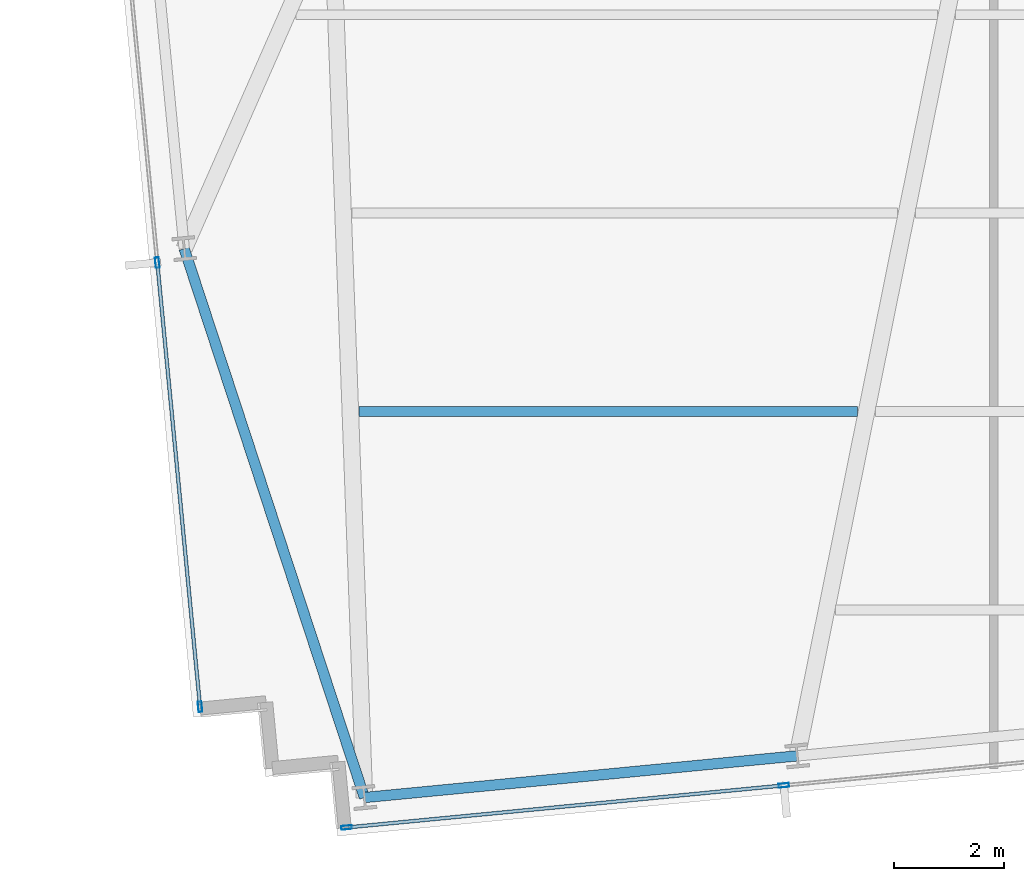
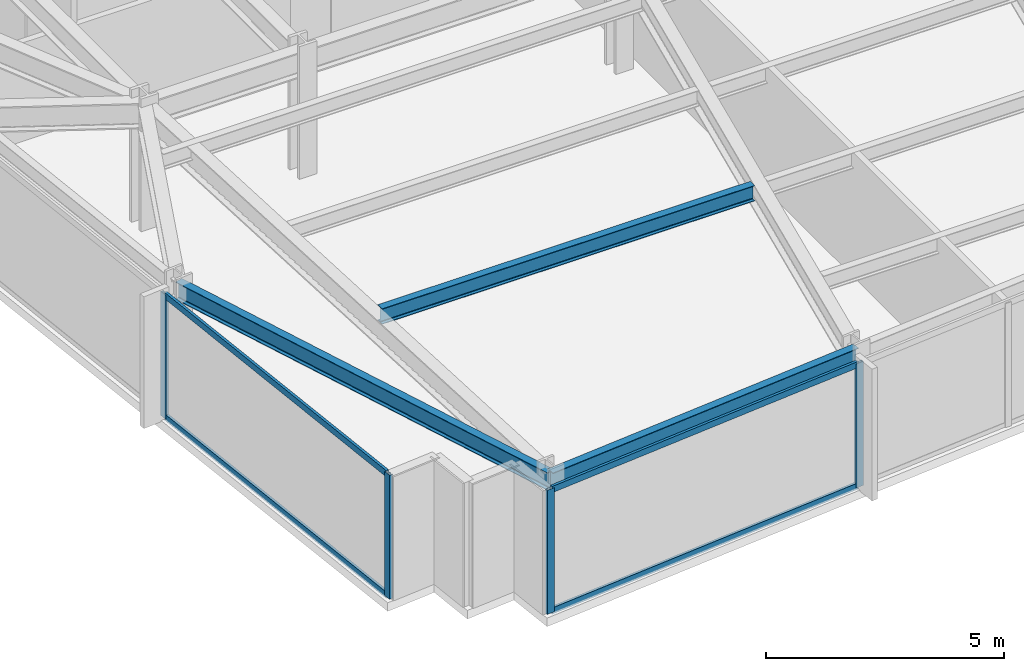
# One storey, part 2 of 32: 8 members, 3 beams, 2 elements without a shape of their own.
"""IFC4 building model written with IfcOpenShell, lengths in metres."""

from ifc_helpers import new_model, si_unit, direction, frame, origin, origin_2d, place, context, subcontext, project, spatial, hollow_rectangle, i_section, extrude, material, material_profile, profile_set, type_object, element, aggregate, save


model = new_model("IFC4")

# Units and contexts
model_context = context("Model", 3, precision=1e-05, world=origin(), true_north=direction((0.0, 1.0)))
body_context = subcontext(model_context, "Body", "Model", "MODEL_VIEW")
ifc_project = project(units=[si_unit("LENGTHUNIT", "METRE"), si_unit("AREAUNIT", "SQUARE_METRE"), si_unit("VOLUMEUNIT", "CUBIC_METRE"), si_unit("PLANEANGLEUNIT", "RADIAN"), si_unit("MASSUNIT", "GRAM", prefix="KILO")], contexts=[model_context])

# Site, building, storey
site_placement = place(None, origin())
site = spatial("IfcSite", under=ifc_project, at=site_placement, CompositionType="ELEMENT")
building_placement = place(site_placement, origin())
building = spatial("IfcBuilding", under=site, at=building_placement, Name="Yelkora Congress Tower", CompositionType="ELEMENT")
storey_placement = place(building_placement, frame((0.0, 0.0, 113.5)))
storey = spatial("IfcBuildingStorey", under=building, at=storey_placement, Name="L30", CompositionType="ELEMENT", Elevation=113.5)

# Beams
ifc_material_1 = material(Name="Steel S355J2", Category="steel")
ifc_material_profile_1 = material_profile(ifc_material_1, i_section(OverallWidth=0.179931640625, OverallDepth=0.39990234375, WebThickness=0.008544921875, FlangeThickness=0.013427734375, FilletRadius=0.02099609375, at=origin_2d()), Name="IPE 400")
ifc_profile_set_1 = profile_set([ifc_material_profile_1], Name="Steel S355J2")
beam_type_1 = type_object("IfcBeamType", Name="BM-JOIST-IPE400", PredefinedType="JOIST", material=ifc_profile_set_1)
beam_1_placement = place(storey_placement, frame((19.6904296875, 16.144287109375, 2.97998046875), z_axis=(1.0, 0.0, 0.0), x_axis=(0.0, 1.0, 0.0)))
element("IfcBeam", 1, at=beam_1_placement, inside=storey, type_object=beam_type_1, Name="L30 Composite Floor Joist 4", PredefinedType="JOIST", context=body_context, shape_type="SweptSolid", body=[
    extrude(i_section(OverallWidth=0.179931640625, OverallDepth=0.39990234375, WebThickness=0.008544921875, FlangeThickness=0.013427734375, FilletRadius=0.02099609375, at=origin_2d()), origin(), (0.0, 0.0, 1.0), 9.0439453125),
])
ifc_material_profile_2 = material_profile(ifc_material_1, i_section(OverallWidth=0.18994140625, OverallDepth=0.449951171875, WebThickness=0.009521484375, FlangeThickness=0.0146484375, FilletRadius=0.02099609375, at=origin_2d()), Name="IPE 450")
ifc_profile_set_2 = profile_set([ifc_material_profile_2], Name="Steel S355J2")
beam_type_2 = type_object("IfcBeamType", Name="BM-SPAN-IPE450", PredefinedType="SPANDREL", material=ifc_profile_set_2)
beam_2_placement = place(storey_placement, frame((16.5166015625, 19.101806640625, 2.955078125), z_axis=(0.311940628701, -0.95010159676, 0.0), x_axis=(0.95010159676, 0.311940628701, 0.0)))
element("IfcBeam", 2, at=beam_2_placement, inside=storey, type_object=beam_type_2, Name="L30 Perimeter Beam 2", PredefinedType="SPANDREL", context=body_context, shape_type="SweptSolid", body=[
    extrude(i_section(OverallWidth=0.18994140625, OverallDepth=0.449951171875, WebThickness=0.009521484375, FlangeThickness=0.0146484375, FilletRadius=0.02099609375, at=origin_2d()), origin(), (0.0, 0.0, 1.0), 10.48046875),
])
beam_3_placement = place(storey_placement, frame((19.785888671875, 9.144287109375, 2.955078125), z_axis=(0.995395860104, 0.095849265454, 0.0), x_axis=(-0.095849265454, 0.995395860104, 0.0)))
element("IfcBeam", 3, at=beam_3_placement, inside=storey, type_object=beam_type_2, Name="L30 Perimeter Beam 3", PredefinedType="SPANDREL", context=body_context, shape_type="SweptSolid", body=[
    extrude(i_section(OverallWidth=0.18994140625, OverallDepth=0.449951171875, WebThickness=0.009521484375, FlangeThickness=0.0146484375, FilletRadius=0.02099609375, at=origin_2d()), origin(), (0.0, 0.0, 1.0), 7.885986328125),
])

# Curtain wall, members
ifc_material_2 = material(Name="Anodised aluminium and insulated glass", Category="aluminium")
curtain_wall_type = type_object("IfcCurtainWallType", Name="CW-SYS-B2", PredefinedType="NOTDEFINED", material=ifc_material_2)
curtain_wall_1_placement = place(storey_placement, origin())
curtain_wall_1 = element("IfcCurtainWall", 4, at=curtain_wall_1_placement, inside=storey, type_object=curtain_wall_type, Name="L30 Unitised Curtain Wall 5", PredefinedType="NOTDEFINED")
ifc_material_3 = material(Name="Anodised aluminium 6063-T6", Category="aluminium")
ifc_material_profile_3 = material_profile(ifc_material_3, hollow_rectangle(XDim=0.070068359375, YDim=0.18994140625, WallThickness=0.00390625, at=origin_2d()), Name="ALU 70x190x4")
ifc_profile_set_3 = profile_set([ifc_material_profile_3], Name="Anodised aluminium 6063-T6")
member_type_1 = type_object("IfcMemberType", Name="MEM-ML-B2", PredefinedType="MULLION", material=ifc_profile_set_3)
member_1_placement = place(storey_placement, frame((16.804443359375, 10.791259765625, 0.0), z_axis=(0.0, 0.0, 1.0), x_axis=(-0.995396507508, -0.095842541913, 0.0)))
member_1 = element("IfcMember", 5, at=member_1_placement, type_object=member_type_1, Name="CW-B2 mullion 1", PredefinedType="MULLION", context=body_context, shape_type="SweptSolid", body=[
    extrude(hollow_rectangle(XDim=0.070068359375, YDim=0.18994140625, WallThickness=0.00390625, at=origin_2d()), origin(), (0.0, 0.0, 1.0), 3.179931640625),
])
member_2_placement = place(storey_placement, frame((16.028564453125, 18.848876953125, 0.0), z_axis=(0.0, 0.0, 1.0), x_axis=(-0.995396507508, -0.095842541913, 0.0)))
member_2 = element("IfcMember", 6, at=member_2_placement, type_object=member_type_1, Name="CW-B2 mullion 2", PredefinedType="MULLION", context=body_context, shape_type="SweptSolid", body=[
    extrude(hollow_rectangle(XDim=0.070068359375, YDim=0.18994140625, WallThickness=0.00390625, at=origin_2d()), origin(), (0.0, 0.0, 1.0), 3.179931640625),
])

curtain_wall_2_placement = place(storey_placement, origin())
curtain_wall_2 = element("IfcCurtainWall", 7, at=curtain_wall_2_placement, inside=storey, type_object=curtain_wall_type, Name="L30 Unitised Curtain Wall 20", PredefinedType="NOTDEFINED")
member_3_placement = place(storey_placement, frame((27.392822265625, 9.364501953125, 0.0), z_axis=(0.0, 0.0, 1.0), x_axis=(0.095844345816, -0.995396333816, 0.0)))
member_3 = element("IfcMember", 8, at=member_3_placement, type_object=member_type_1, Name="CW-B2 mullion 7", PredefinedType="MULLION", context=body_context, shape_type="SweptSolid", body=[
    extrude(hollow_rectangle(XDim=0.070068359375, YDim=0.18994140625, WallThickness=0.00390625, at=origin_2d()), origin(), (0.0, 0.0, 1.0), 3.179931640625),
])
member_4_placement = place(storey_placement, frame((19.46142578125, 8.600830078125, 0.0), z_axis=(0.0, 0.0, 1.0), x_axis=(0.095844345816, -0.995396333816, 0.0)))
member_4 = element("IfcMember", 9, at=member_4_placement, type_object=member_type_1, Name="CW-B2 mullion 8", PredefinedType="MULLION", context=body_context, shape_type="SweptSolid", body=[
    extrude(hollow_rectangle(XDim=0.070068359375, YDim=0.18994140625, WallThickness=0.00390625, at=origin_2d()), origin(), (0.0, 0.0, 1.0), 3.179931640625),
])

# Member
ifc_material_profile_4 = material_profile(ifc_material_3, hollow_rectangle(XDim=0.06494140625, YDim=0.159912109375, WallThickness=0.00390625, at=origin_2d()), Name="ALU 65x160x4")
ifc_profile_set_4 = profile_set([ifc_material_profile_4], Name="Anodised aluminium 6063-T6")
member_type_2 = type_object("IfcMemberType", Name="MEM-TR-B2", PredefinedType="USERDEFINED", material=ifc_profile_set_4)
member_5_placement = place(storey_placement, frame((16.801025390625, 10.826171875, 0.032470703125), z_axis=(-0.095861385662, 0.995394692943, 0.0), x_axis=(-0.995394692943, -0.095861385662, 0.0)))
member_5 = element("IfcMember", 10, at=member_5_placement, type_object=member_type_2, Name="CW-B2 transom 1.1", ObjectType="TRANSOM", PredefinedType="USERDEFINED", context=body_context, shape_type="SweptSolid", body=[
    extrude(hollow_rectangle(XDim=0.06494140625, YDim=0.159912109375, WallThickness=0.00390625, at=origin_2d()), origin(), (0.0, 0.0, 1.0), 8.02490234375),
])

member_6_placement = place(storey_placement, frame((16.801025390625, 10.826171875, 3.1474609375), z_axis=(-0.095861385662, 0.995394692943, 0.0), x_axis=(-0.995394692943, -0.095861385662, 0.0)))
member_6 = element("IfcMember", 11, at=member_6_placement, type_object=member_type_2, Name="CW-B2 transom 1.2", ObjectType="TRANSOM", PredefinedType="USERDEFINED", context=body_context, shape_type="SweptSolid", body=[
    extrude(hollow_rectangle(XDim=0.06494140625, YDim=0.159912109375, WallThickness=0.00390625, at=origin_2d()), origin(), (0.0, 0.0, 1.0), 8.02490234375),
])

aggregate(curtain_wall_1, [member_1, member_2, member_5, member_6])

member_7_placement = place(storey_placement, frame((27.35791015625, 9.361083984375, 0.032470703125), z_axis=(-0.995397978421, -0.095827264157, 0.0), x_axis=(0.095827264157, -0.995397978421, 0.0)))
member_7 = element("IfcMember", 12, at=member_7_placement, type_object=member_type_2, Name="CW-B2 transom 7.1", ObjectType="TRANSOM", PredefinedType="USERDEFINED", context=body_context, shape_type="SweptSolid", body=[
    extrude(hollow_rectangle(XDim=0.06494140625, YDim=0.159912109375, WallThickness=0.00390625, at=origin_2d()), origin(), (0.0, 0.0, 1.0), 7.89794921875),
])

member_8_placement = place(storey_placement, frame((27.35791015625, 9.361083984375, 3.1474609375), z_axis=(-0.995397978421, -0.095827264157, 0.0), x_axis=(0.095827264157, -0.995397978421, 0.0)))
member_8 = element("IfcMember", 13, at=member_8_placement, type_object=member_type_2, Name="CW-B2 transom 7.2", ObjectType="TRANSOM", PredefinedType="USERDEFINED", context=body_context, shape_type="SweptSolid", body=[
    extrude(hollow_rectangle(XDim=0.06494140625, YDim=0.159912109375, WallThickness=0.00390625, at=origin_2d()), origin(), (0.0, 0.0, 1.0), 7.89794921875),
])

aggregate(curtain_wall_2, [member_3, member_4, member_7, member_8])

save(model, "model.ifc")
